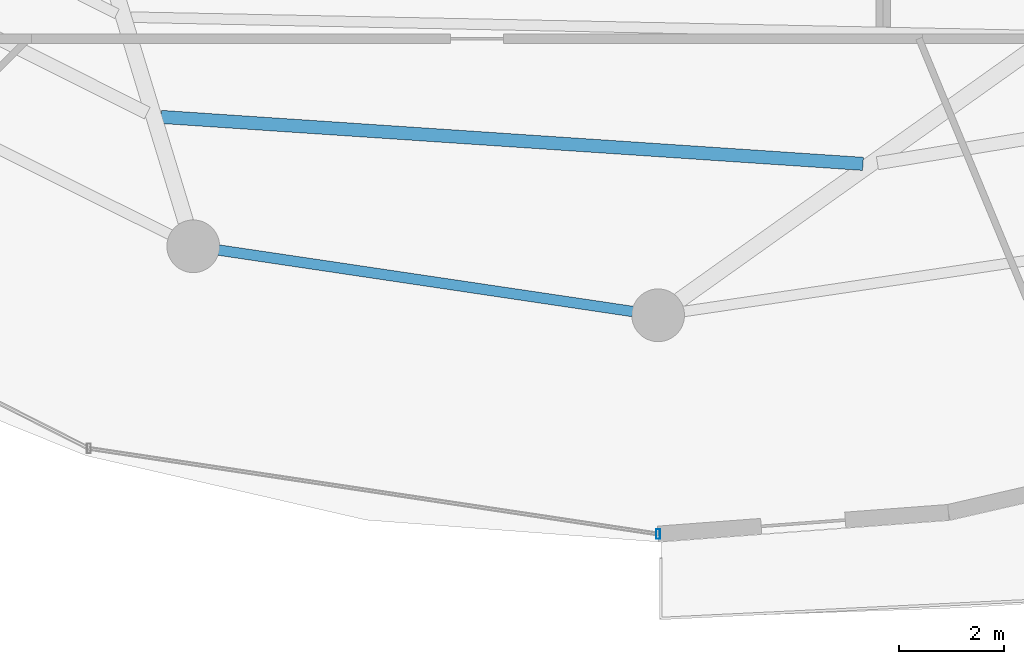
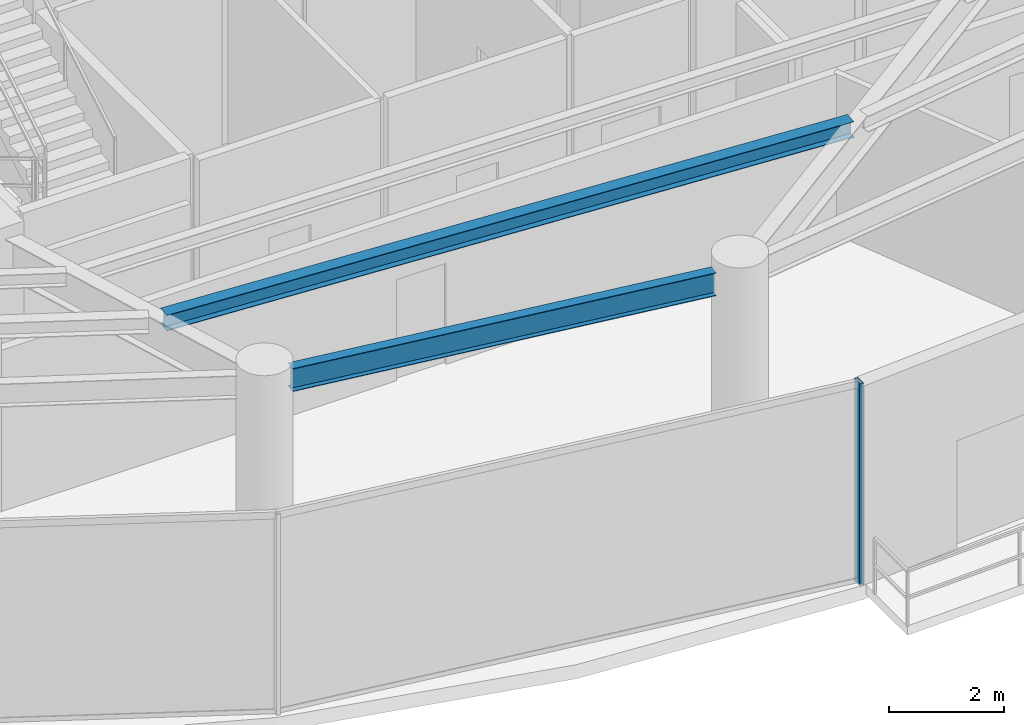
# One storey, part 5 of 31: 2 beams, 1 member, 1 element without a shape of its own.
"""IFC4 building model written with IfcOpenShell, lengths in metres."""

import ifcopenshell
import ifcopenshell.guid

model = None  # the IFC model being written
_history = None  # IfcOwnerHistory: only IFC2X3 demands one
_inside = {}  # id of a spatial element -> (the spatial element, [elements in it])
_under = {}  # id of a project, library or spatial element -> (it, [spatial elements below it])
_declared = {}  # id of a project -> (the project, [libraries it declares])
_typed = {}  # id of a type object -> (the type object, [elements of that type])
_made_of = {}  # id of a material, layer set ... -> (it, [elements and type objects made of it])


def new_model(schema):
    """Start an empty IFC model of exactly this schema.

    Asked for "IFC4X3", IfcOpenShell would pick the latest addendum, in which some entities
    have other attributes; the version numbers below select the first issue.
    IFC2X3 requires an IfcOwnerHistory on every rooted entity: one is made here for all.
    """
    global model, _history
    if schema == "IFC4X3":
        model = ifcopenshell.file(schema_version=(4, 3, 0, 0))
    else:
        model = ifcopenshell.file(schema=schema)
    _inside.clear()
    _under.clear()
    _declared.clear()
    _typed.clear()
    _made_of.clear()
    _history = None
    if model.schema == "IFC2X3":
        org = make("IfcOrganization", Name="unknown")
        user = make(
            "IfcPersonAndOrganization",
            ThePerson=make("IfcPerson", FamilyName="unknown"),
            TheOrganization=org,
        )
        app = make(
            "IfcApplication",
            ApplicationDeveloper=org,
            Version="unknown",
            ApplicationFullName="unknown",
            ApplicationIdentifier="unknown",
        )
        _history = make(
            "IfcOwnerHistory",
            OwningUser=user,
            OwningApplication=app,
            ChangeAction="ADDED",
            CreationDate=0,
        )
    return model


def make(cls, **values):
    """One entity of the class cls with the attributes given. An attribute that is None is left unset."""
    return model.create_entity(
        cls, **{name: value for name, value in values.items() if value is not None}
    )


def rooted(cls, **values):
    """An entity with a GlobalId (a new one), such as an element, a storey or a relation."""
    return make(cls, GlobalId=ifcopenshell.guid.new(), OwnerHistory=_history, **values)


def si_unit(unit_type, name, prefix=None):
    """IfcSIUnit, for example si_unit("LENGTHUNIT", "METRE", prefix="MILLI")."""
    return make("IfcSIUnit", UnitType=unit_type, Prefix=prefix, Name=name)


def assignment(units):
    """IfcUnitAssignment: the units of a project."""
    return None if units is None else make("IfcUnitAssignment", Units=units)


def point(xyz):
    """IfcCartesianPoint."""
    return None if xyz is None else make("IfcCartesianPoint", Coordinates=xyz)


def direction(xyz):
    """IfcDirection."""
    return None if xyz is None else make("IfcDirection", DirectionRatios=xyz)


def frame(location, z_axis=None, x_axis=None):
    """IfcAxis2Placement3D, a coordinate frame: its origin and axes. An axis left out is left unset."""
    return make(
        "IfcAxis2Placement3D",
        Location=point(location),
        Axis=direction(z_axis),
        RefDirection=direction(x_axis),
    )


def frame_2d(location, x_axis=None):
    """IfcAxis2Placement2D, a coordinate frame in the plane: its origin and x axis."""
    return make(
        "IfcAxis2Placement2D", Location=point(location), RefDirection=direction(x_axis)
    )


def origin():
    """The frame at (0, 0, 0) with its axes left unset."""
    return frame((0.0, 0.0, 0.0))


def origin_2d():
    """The frame at (0, 0) in the plane with its x axis left unset."""
    return frame_2d((0.0, 0.0))


def place(relative_to, where):
    """IfcLocalPlacement: puts the frame where relative to a parent placement (None: the world)."""
    return make(
        "IfcLocalPlacement", PlacementRelTo=relative_to, RelativePlacement=where
    )


def context(
    kind, dimensions, precision=None, world=None, true_north=None, identifier=None
):
    """IfcGeometricRepresentationContext, for example the 3D "Model" context."""
    return make(
        "IfcGeometricRepresentationContext",
        ContextIdentifier=identifier,
        ContextType=kind,
        CoordinateSpaceDimension=dimensions,
        Precision=precision,
        WorldCoordinateSystem=world,
        TrueNorth=true_north,
    )


def subcontext(parent, identifier, kind, view, scale=None):
    """IfcGeometricRepresentationSubContext, for example "Body" below "Model"."""
    return make(
        "IfcGeometricRepresentationSubContext",
        ContextIdentifier=identifier,
        ContextType=kind,
        ParentContext=parent,
        TargetScale=scale,
        TargetView=view,
    )


def project(units=None, contexts=None):
    """IfcProject with its units and contexts."""
    return rooted(
        "IfcProject",
        Name="project",
        RepresentationContexts=contexts,
        UnitsInContext=assignment(units),
    )


def spatial(cls, under=None, at=None, **own):
    """A site, building, storey or space (cls), placed at a placement, below another one or the project."""
    s = rooted(cls, ObjectPlacement=at, **own)
    if under is not None:
        _under.setdefault(under.id(), (under, []))[1].append(s)
    return s


def profile(cls, at=None, kind="AREA", **sizes):
    """A parametric profile (cls). Its sizes go by their IFC names, for example OverallWidth=200.0."""
    return make(cls, ProfileType=kind, Position=at, **sizes)


def hollow_rectangle(**sizes):
    """IfcRectangleHollowProfileDef."""
    return profile("IfcRectangleHollowProfileDef", **sizes)


def i_section(**sizes):
    """IfcIShapeProfileDef."""
    return profile("IfcIShapeProfileDef", **sizes)


def extrude(swept, where, along, depth):
    """IfcExtrudedAreaSolid: the profile swept, set in the frame where, extruded along a direction by depth."""
    return make(
        "IfcExtrudedAreaSolid",
        SweptArea=swept,
        Position=where,
        ExtrudedDirection=direction(along),
        Depth=depth,
    )


def shape(context_of_items, identifier, shape_type, items):
    """IfcShapeRepresentation: the items that make up one representation, for example the "Body"."""
    return make(
        "IfcShapeRepresentation",
        ContextOfItems=context_of_items,
        RepresentationIdentifier=identifier,
        RepresentationType=shape_type,
        Items=items,
    )


def material(Name=None, Category=None):
    """IfcMaterial."""
    return make("IfcMaterial", Name=Name, Category=Category)


def material_profile(
    of_material, cross_section, Name=None, Category=None, Priority=None
):
    """IfcMaterialProfile: a cross section and its material."""
    return make(
        "IfcMaterialProfile",
        Name=Name,
        Material=of_material,
        Profile=cross_section,
        Priority=Priority,
        Category=Category,
    )


def profile_set(profiles, Name=None, composite=None):
    """IfcMaterialProfileSet."""
    return make(
        "IfcMaterialProfileSet",
        Name=Name,
        MaterialProfiles=profiles,
        CompositeProfile=composite,
    )


def made_of(thing, what):
    """Note that an element or type object is made of a material, layer set ...; save() writes the relation."""
    if what is not None:
        _made_of.setdefault(what.id(), (what, []))[1].append(thing)
    return thing


def type_object(cls, material=None, **own):
    """A type object (cls), such as IfcWallType, which elements share."""
    return made_of(rooted(cls, **own), material)


def element(
    cls,
    number,
    at=None,
    inside=None,
    cuts=None,
    type_object=None,
    material=None,
    context=None,
    identifier="Body",
    shape_type=None,
    held_by="IfcProductDefinitionShape",
    body=None,
    shapes=None,
    **own,
):
    """One element of the class cls, such as IfcWall. Its Tag is "e" and its number.

    at: its placement. inside: the storey or other place that contains it. cuts: it is an
    opening in that element (IfcRelVoidsElement). A single representation is given by context,
    identifier, shape_type and body (its items); several are given by shapes. held_by: the class
    of the entity that holds the representations. save() writes the other relations.
    """
    e = rooted(cls, Tag="e%d" % number, ObjectPlacement=at, **own)
    if body is not None:
        shapes = [shape(context, identifier, shape_type, body)]
    if shapes is not None:
        e.Representation = make(held_by, Representations=shapes)
    if inside is not None:
        _inside.setdefault(inside.id(), (inside, []))[1].append(e)
    if cuts is not None:
        rooted(
            "IfcRelVoidsElement", RelatingBuildingElement=cuts, RelatedOpeningElement=e
        )
    if type_object is not None:
        _typed.setdefault(type_object.id(), (type_object, []))[1].append(e)
    return made_of(e, material)


def aggregate(whole, parts):
    """IfcRelAggregates: a whole, such as a stair, and the parts it consists of."""
    return rooted("IfcRelAggregates", RelatingObject=whole, RelatedObjects=parts)


def save(model, path):
    """Write the relations noted so far, then the file.

    IfcRelAggregates (storeys below a building ...), IfcRelContainedInSpatialStructure (elements
    in a storey), IfcRelDefinesByType, IfcRelAssociatesMaterial and IfcRelDeclares: one each for
    every whole, place, type object, material and project.
    """
    for whole, parts in _under.values():
        aggregate(whole, parts)
    for where, things in _inside.values():
        rooted(
            "IfcRelContainedInSpatialStructure",
            RelatedElements=things,
            RelatingStructure=where,
        )
    for kind, things in _typed.values():
        rooted("IfcRelDefinesByType", RelatedObjects=things, RelatingType=kind)
    for what, things in _made_of.values():
        rooted("IfcRelAssociatesMaterial", RelatedObjects=things, RelatingMaterial=what)
    for by, libraries in _declared.values():
        rooted("IfcRelDeclares", RelatingContext=by, RelatedDefinitions=libraries)
    model.write(path)


model = new_model("IFC4")

# Units and contexts
model_context = context("Model", 3, precision=1e-05, world=origin(), true_north=direction((0.0, 1.0)))
body_context = subcontext(model_context, "Body", "Model", "MODEL_VIEW")
ifc_project = project(units=[si_unit("LENGTHUNIT", "METRE"), si_unit("AREAUNIT", "SQUARE_METRE"), si_unit("VOLUMEUNIT", "CUBIC_METRE"), si_unit("PLANEANGLEUNIT", "RADIAN"), si_unit("MASSUNIT", "GRAM", prefix="KILO")], contexts=[model_context])

# Site, building, storey
site_placement = place(None, origin())
site = spatial("IfcSite", under=ifc_project, at=site_placement, CompositionType="ELEMENT")
building_placement = place(site_placement, origin())
building = spatial("IfcBuilding", under=site, at=building_placement, Name="Vorneva Point Tower", CompositionType="ELEMENT")
storey_placement = place(building_placement, frame((0.0, 0.0, 174.60009765625)))
storey = spatial("IfcBuildingStorey", under=building, at=storey_placement, Name="L47", CompositionType="ELEMENT", Elevation=174.60009765625)

# Beams
ifc_material_1 = material(Name="Steel S355", Category="steel")
ifc_material_profile_1 = material_profile(ifc_material_1, i_section(OverallWidth=0.2490234375, OverallDepth=0.333984375, WebThickness=0.008056640625, FlangeThickness=0.010986328125, at=origin_2d()), Name="35Sh1")
ifc_profile_set_1 = profile_set([ifc_material_profile_1], Name="Steel S355")
beam_type_1 = type_object("IfcBeamType", Name="BM-SEC-35Sh1", PredefinedType="BEAM", material=ifc_profile_set_1)
beam_1_placement = place(storey_placement, frame((28.567138671875, 12.564453125, 4.072998046875), z_axis=(0.997769675218, -0.066750844307, 0.0), x_axis=(0.066750844307, 0.997769675218, 0.0)))
element("IfcBeam", 1, at=beam_1_placement, inside=storey, type_object=beam_type_1, Name="L47 Secondary Floor Beam 1.12", PredefinedType="BEAM", context=body_context, shape_type="SweptSolid", body=[
    extrude(i_section(OverallWidth=0.2490234375, OverallDepth=0.333984375, WebThickness=0.008056640625, FlangeThickness=0.010986328125, at=origin_2d()), origin(), (0.0, 0.0, 1.0), 13.349853515625),
])
ifc_material_profile_2 = material_profile(ifc_material_1, i_section(OverallWidth=0.199951171875, OverallDepth=0.491943359375, WebThickness=0.0087890625, FlangeThickness=0.011962890625, at=origin_2d()), Name="50B1")
ifc_profile_set_2 = profile_set([ifc_material_profile_2], Name="Steel S355")
beam_type_2 = type_object("IfcBeamType", Name="BM-SPN-50B1", PredefinedType="SPANDREL", material=ifc_profile_set_2)
beam_2_placement = place(storey_placement, frame((29.65869140625, 10.0380859375, 3.993896484375), z_axis=(0.989161199046, -0.146833655211, 0.0), x_axis=(0.146833655211, 0.989161199046, 0.0)))
element("IfcBeam", 2, at=beam_2_placement, inside=storey, type_object=beam_type_2, Name="L47 Perimeter Spandrel Ring Beam 12", PredefinedType="SPANDREL", context=body_context, shape_type="SweptSolid", body=[
    extrude(i_section(OverallWidth=0.199951171875, OverallDepth=0.491943359375, WebThickness=0.0087890625, FlangeThickness=0.011962890625, at=origin_2d()), origin(), (0.0, 0.0, 1.0), 7.94775390625),
])

# Curtain wall, member
ifc_material_2 = material(Name="Pale anodised aluminium", Category="aluminium")
curtain_wall_type = type_object("IfcCurtainWallType", Name="CW-SKY-SYS", PredefinedType="NOTDEFINED", material=ifc_material_2)
curtain_wall_placement = place(storey_placement, origin())
curtain_wall = element("IfcCurtainWall", 3, at=curtain_wall_placement, inside=storey, type_object=curtain_wall_type, Name="L47 Unitised Curtain Wall CW-L47-R04", PredefinedType="NOTDEFINED")
ifc_material_profile_3 = material_profile(ifc_material_2, hollow_rectangle(XDim=0.074951171875, YDim=0.179931640625, WallThickness=0.00390625, at=origin_2d()), Name="AL-MUL 180x75x4")
ifc_profile_set_3 = profile_set([ifc_material_profile_3], Name="Pale anodised aluminium")
member_type = type_object("IfcMemberType", Name="CW-MUL-180", PredefinedType="MULLION", material=ifc_profile_set_3)
member_placement = place(storey_placement, frame((38.0, 4.64990234375, -0.0400390625), z_axis=(0.0, 0.0, 1.0), x_axis=(1.0, 0.0, 0.0)))
member = element("IfcMember", 4, at=member_placement, type_object=member_type, Name="CW-L47-R04 Mullion 03", PredefinedType="MULLION", context=body_context, shape_type="SweptSolid", body=[
    extrude(hollow_rectangle(XDim=0.074951171875, YDim=0.179931640625, WallThickness=0.00390625, at=origin_2d()), origin(), (0.0, 0.0, 1.0), 4.31005859375),
])
aggregate(curtain_wall, [member])

save(model, "model.ifc")
